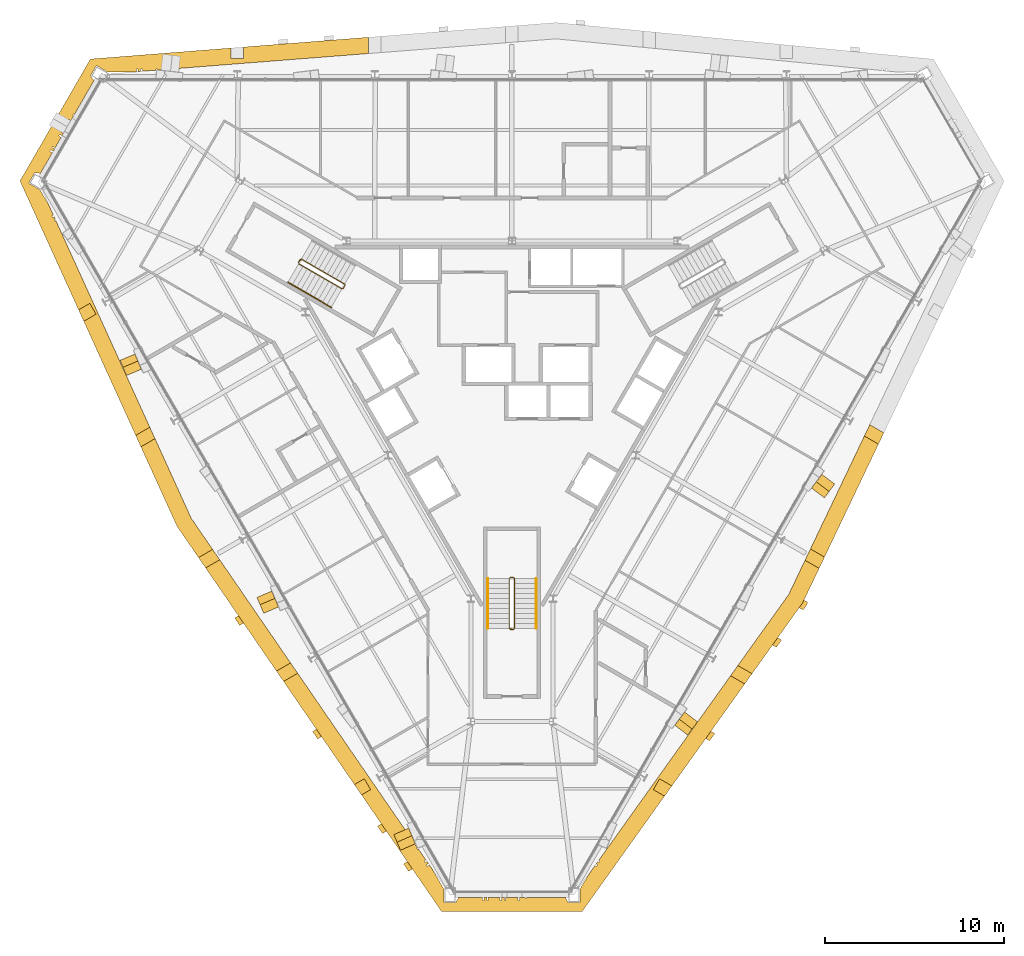
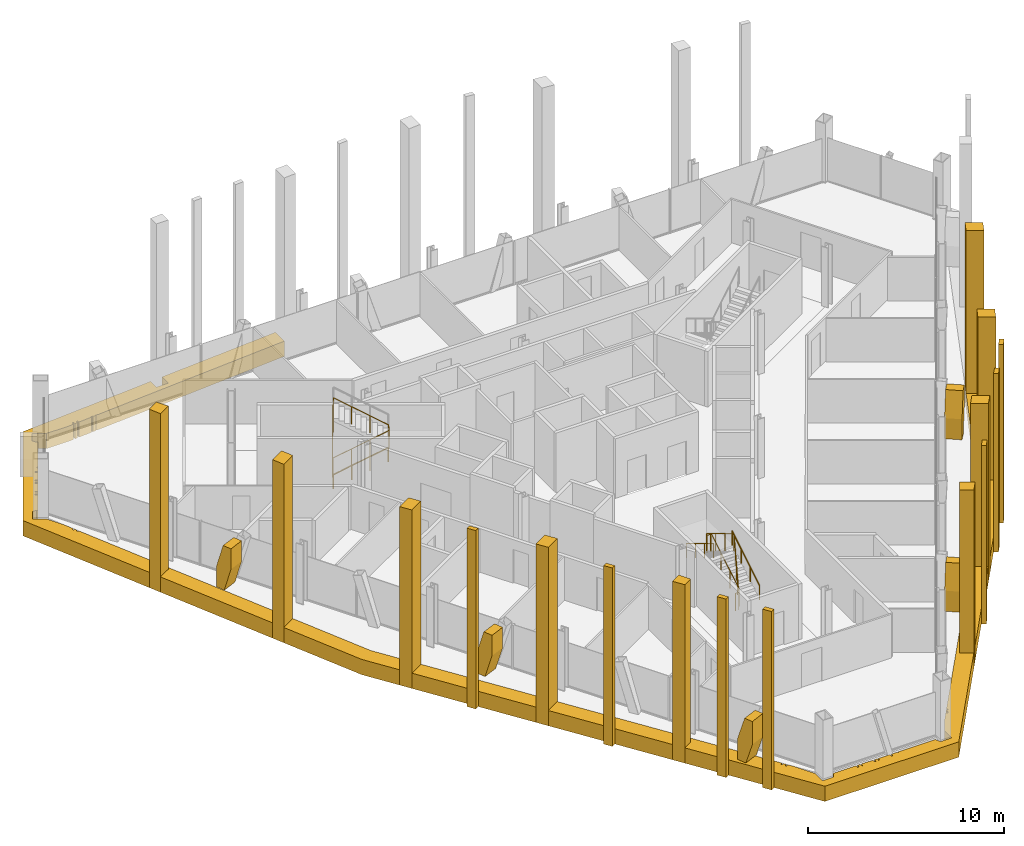
# One storey, part 12 of 13: 27 coverings, 5 railings.
"""IFC4 building model written with IfcOpenShell, lengths in metres."""

from ifc_helpers import new_model, si_unit, direction, frame, origin, origin_2d, place, context, subcontext, project, spatial, polyline, circle, outline, extrude, material, layer, layer_set, type_object, element, save


model = new_model("IFC4")

# Units and contexts
model_context = context("Model", 3, precision=1e-05, world=origin(), true_north=direction((0.0, 1.0)))
body_context = subcontext(model_context, "Body", "Model", "MODEL_VIEW")
ifc_project = project(units=[si_unit("LENGTHUNIT", "METRE"), si_unit("AREAUNIT", "SQUARE_METRE"), si_unit("VOLUMEUNIT", "CUBIC_METRE"), si_unit("PLANEANGLEUNIT", "RADIAN"), si_unit("MASSUNIT", "GRAM", prefix="KILO")], contexts=[model_context])

# Site, building, storey
site_placement = place(None, origin())
site = spatial("IfcSite", under=ifc_project, at=site_placement, CompositionType="ELEMENT")
building_placement = place(site_placement, origin())
building = spatial("IfcBuilding", under=site, at=building_placement, Name="Verrane Prism Tower", CompositionType="ELEMENT")
storey_placement = place(building_placement, frame((0.0, 0.0, 159.89990234375)))
storey = spatial("IfcBuildingStorey", under=building, at=storey_placement, Name="L39", CompositionType="ELEMENT", Elevation=159.89990234375)

# Railings
ifc_material_1 = material(Name="Steel A36 rail and posts, no infill", Category="steel")
railing_type_1 = type_object("IfcRailingType", Name="Stair guard 1100 steel rail and posts", PredefinedType="GUARDRAIL", material=ifc_material_1)
railing_1_placement = place(storey_placement, frame((-11.939453125, 6.72021484375, 0.168212890625)))
element("IfcRailing", 1, at=railing_1_placement, inside=storey, type_object=railing_type_1, Name="Stair 2 guard", PredefinedType="GUARDRAIL", context=body_context, shape_type="SweptSolid", body=[
    extrude(circle(Radius=0.02392578125, at=origin_2d()), frame((0.0, 0.0, 1.076171875), z_axis=(0.742366697286, -0.42866220388, 0.514917859203), x_axis=(0.500049511043, 0.865996816683, 0.0)), (0.0, 0.0, 1.0), 3.266357421875),
    extrude(circle(Radius=0.02392578125, at=origin_2d()), frame((2.4248046875, -1.400146484375, 2.7578125), z_axis=(0.965948051503, 0.258736085224, 0.0), x_axis=(-0.258736085224, 0.965948051503, 0.0)), (0.0, 0.0, 1.0), 0.07080078125),
    extrude(circle(Radius=0.02392578125, at=origin_2d()), frame((2.4931640625, -1.3818359375, 2.7578125), z_axis=(0.499158860599, 0.866510491504, 0.0), x_axis=(-0.866510491504, 0.499158860599, 0.0)), (0.0, 0.0, 1.0), 0.199951171875),
    extrude(circle(Radius=0.02392578125, at=origin_2d()), frame((2.593017578125, -1.20849609375, 2.7578125), z_axis=(-0.100385596638, 0.373434419493, 0.922209014446), x_axis=(-0.965715946433, -0.259601060869, 0.0)), (0.0, 0.0, 1.0), 0.182373046875),
    extrude(circle(Radius=0.02392578125, at=origin_2d()), frame((2.57470703125, -1.140380859375, 2.92626953125), z_axis=(-0.742366697286, 0.42866220388, 0.514917859203), x_axis=(-0.500049511043, -0.865996816683, 0.0)), (0.0, 0.0, 1.0), 3.266357421875),
    extrude(circle(Radius=0.02392578125, at=origin_2d()), frame((0.14990234375, 0.259765625, 4.60791015625), z_axis=(-0.045352972709, -0.05167210969, -0.997633750906), x_axis=(0.751567565678, -0.659656118156, 0.0)), (0.0, 0.0, 1.0), 3.708984375),
    extrude(circle(Radius=0.02392578125, at=origin_2d()), frame((-0.018310546875, 0.068115234375, 0.90771484375), z_axis=(0.499158860599, 0.866510491504, 0.0), x_axis=(-0.866510491504, 0.499158860599, 0.0)), (0.0, 0.0, 1.0), 0.199951171875),
    extrude(circle(Radius=0.02099609375, at=origin_2d()), origin(), (0.0, 0.0, 1.0), 1.052001953125),
    extrude(circle(Radius=0.02099609375, at=origin_2d()), frame((0.808349609375, -0.466796875, 0.560546875)), (0.0, 0.0, 1.0), 1.052001953125),
    extrude(circle(Radius=0.02099609375, at=origin_2d()), frame((1.616455078125, -0.933349609375, 1.121337890625)), (0.0, 0.0, 1.0), 1.052001953125),
    extrude(circle(Radius=0.02099609375, at=origin_2d()), frame((2.4248046875, -1.400146484375, 1.681884765625)), (0.0, 0.0, 1.0), 1.052001953125),
    extrude(circle(Radius=0.02099609375, at=origin_2d()), frame((2.4931640625, -1.3818359375, 1.681884765625)), (0.0, 0.0, 1.0), 1.052001953125),
    extrude(circle(Radius=0.02099609375, at=origin_2d()), frame((2.593017578125, -1.20849609375, 1.681884765625)), (0.0, 0.0, 1.0), 1.052001953125),
    extrude(circle(Radius=0.02099609375, at=origin_2d()), frame((2.57470703125, -1.140380859375, 1.85009765625)), (0.0, 0.0, 1.0), 1.052001953125),
    extrude(circle(Radius=0.02099609375, at=origin_2d()), frame((1.766357421875, -0.673583984375, 2.41064453125)), (0.0, 0.0, 1.0), 1.052001953125),
    extrude(circle(Radius=0.02099609375, at=origin_2d()), frame((0.958251953125, -0.20703125, 2.971435546875)), (0.0, 0.0, 1.0), 1.052001953125),
    extrude(circle(Radius=0.02099609375, at=origin_2d()), frame((0.14990234375, 0.259765625, 3.531982421875)), (0.0, 0.0, 1.0), 1.052001953125),
    extrude(circle(Radius=0.02099609375, at=origin_2d()), frame((0.10791015625, 0.2119140625, 2.60693359375)), (0.0, 0.0, 1.0), 1.052001953125),
    extrude(circle(Radius=0.02099609375, at=origin_2d()), frame((0.06591796875, 0.1640625, 1.681884765625)), (0.0, 0.0, 1.0), 1.052001953125),
    extrude(circle(Radius=0.02099609375, at=origin_2d()), frame((0.023681640625, 0.115966796875, 0.7568359375)), (0.0, 0.0, 1.0), 1.052001953125),
    extrude(circle(Radius=0.02099609375, at=origin_2d()), frame((-0.018310546875, 0.068115234375, -0.168212890625)), (0.0, 0.0, 1.0), 1.052001953125),
    extrude(circle(Radius=0.02099609375, at=origin_2d()), frame((0.08154296875, 0.241455078125, -0.168212890625)), (0.0, 0.0, 1.0), 1.052001953125),
])
railing_2_placement = place(storey_placement, frame((0.14990234375, -13.699951171875, 0.168212890625)))
element("IfcRailing", 2, at=railing_2_placement, inside=storey, type_object=railing_type_1, Name="Stair 3 guard", PredefinedType="GUARDRAIL", context=body_context, shape_type="SweptSolid", body=[
    extrude(circle(Radius=0.02392578125, at=origin_2d()), frame((0.0, 0.0, 1.076171875), z_axis=(0.0, 0.857242210791, 0.514913383045), x_axis=(-1.0, 0.0, 0.0)), (0.0, 0.0, 1.0), 3.266357421875),
    extrude(circle(Radius=0.02392578125, at=origin_2d()), frame((0.0, 2.800048828125, 2.7578125), z_axis=(-0.707106781187, 0.707106781187, 0.0), x_axis=(-0.707106781187, -0.707106781187, 0.0)), (0.0, 0.0, 1.0), 0.0703125),
    extrude(circle(Radius=0.02392578125, at=origin_2d()), frame((-0.0498046875, 2.849853515625, 2.7578125), z_axis=(-1.0, 0.0, 0.0), x_axis=(0.0, -1.0, 0.0)), (0.0, 0.0, 1.0), 0.2001953125),
    extrude(circle(Radius=0.02392578125, at=origin_2d()), frame((-0.25, 2.849853515625, 2.7578125), z_axis=(-0.273106073848, -0.273106073848, 0.922402376869), x_axis=(0.707106781187, -0.707106781187, 0.0)), (0.0, 0.0, 1.0), 0.182373046875),
    extrude(circle(Radius=0.02392578125, at=origin_2d()), frame((-0.2998046875, 2.800048828125, 2.92626953125), z_axis=(0.0, -0.857242210791, 0.514913383045), x_axis=(1.0, 0.0, 0.0)), (0.0, 0.0, 1.0), 3.266357421875),
    extrude(circle(Radius=0.02392578125, at=origin_2d()), frame((-0.2998046875, 0.0, 4.60791015625), z_axis=(0.067404178178, -0.013494000514, -0.997634496554), x_axis=(0.196300278283, 0.98054382908, 0.0)), (0.0, 0.0, 1.0), 3.708984375),
    extrude(circle(Radius=0.02392578125, at=origin_2d()), frame((-0.0498046875, -0.050048828125, 0.90771484375), z_axis=(-1.0, 0.0, 0.0), x_axis=(0.0, -1.0, 0.0)), (0.0, 0.0, 1.0), 0.2001953125),
    extrude(circle(Radius=0.02099609375, at=origin_2d()), origin(), (0.0, 0.0, 1.0), 1.052001953125),
    extrude(circle(Radius=0.02099609375, at=origin_2d()), frame((0.0, 0.933349609375, 0.560546875)), (0.0, 0.0, 1.0), 1.052001953125),
    extrude(circle(Radius=0.02099609375, at=origin_2d()), frame((0.0, 1.86669921875, 1.121337890625)), (0.0, 0.0, 1.0), 1.052001953125),
    extrude(circle(Radius=0.02099609375, at=origin_2d()), frame((0.0, 2.800048828125, 1.681884765625)), (0.0, 0.0, 1.0), 1.052001953125),
    extrude(circle(Radius=0.02099609375, at=origin_2d()), frame((-0.0498046875, 2.849853515625, 1.681884765625)), (0.0, 0.0, 1.0), 1.052001953125),
    extrude(circle(Radius=0.02099609375, at=origin_2d()), frame((-0.25, 2.849853515625, 1.681884765625)), (0.0, 0.0, 1.0), 1.052001953125),
    extrude(circle(Radius=0.02099609375, at=origin_2d()), frame((-0.2998046875, 2.800048828125, 1.85009765625)), (0.0, 0.0, 1.0), 1.052001953125),
    extrude(circle(Radius=0.02099609375, at=origin_2d()), frame((-0.2998046875, 1.86669921875, 2.41064453125)), (0.0, 0.0, 1.0), 1.052001953125),
    extrude(circle(Radius=0.02099609375, at=origin_2d()), frame((-0.2998046875, 0.933349609375, 2.971435546875)), (0.0, 0.0, 1.0), 1.052001953125),
    extrude(circle(Radius=0.02099609375, at=origin_2d()), frame((-0.2998046875, 0.0, 3.531982421875)), (0.0, 0.0, 1.0), 1.052001953125),
    extrude(circle(Radius=0.02099609375, at=origin_2d()), frame((-0.2373046875, -0.012451171875, 2.60693359375)), (0.0, 0.0, 1.0), 1.052001953125),
    extrude(circle(Radius=0.02099609375, at=origin_2d()), frame((-0.1748046875, -0.02490234375, 1.681884765625)), (0.0, 0.0, 1.0), 1.052001953125),
    extrude(circle(Radius=0.02099609375, at=origin_2d()), frame((-0.1123046875, -0.03759765625, 0.7568359375)), (0.0, 0.0, 1.0), 1.052001953125),
    extrude(circle(Radius=0.02099609375, at=origin_2d()), frame((-0.0498046875, -0.050048828125, -0.168212890625)), (0.0, 0.0, 1.0), 1.052001953125),
    extrude(circle(Radius=0.02099609375, at=origin_2d()), frame((-0.25, -0.050048828125, -0.168212890625)), (0.0, 0.0, 1.0), 1.052001953125),
])
ifc_material_2 = material(Name="Steel A36 tube", Category="steel")
railing_type_2 = type_object("IfcRailingType", Name="Stair handrail 900 steel tube", PredefinedType="HANDRAIL", material=ifc_material_2)
railing_3_placement = place(storey_placement, frame((-12.53955078125, 5.680908203125, 0.168212890625)))
element("IfcRailing", 3, at=railing_3_placement, inside=storey, type_object=railing_type_2, Name="Stair 2 handrail", PredefinedType="HANDRAIL", context=body_context, shape_type="SweptSolid", body=[
    extrude(circle(Radius=0.02392578125, at=origin_2d()), frame((0.0, 0.0, 0.8759765625), z_axis=(0.742366697286, -0.42866220388, 0.514917859203), x_axis=(0.500049511043, 0.865996816683, 0.0)), (0.0, 0.0, 1.0), 3.266357421875),
    extrude(circle(Radius=0.02099609375, at=origin_2d()), origin(), (0.0, 0.0, 1.0), 0.851806640625),
    extrude(circle(Radius=0.02099609375, at=origin_2d()), frame((0.808349609375, -0.466796875, 0.560546875)), (0.0, 0.0, 1.0), 0.851806640625),
    extrude(circle(Radius=0.02099609375, at=origin_2d()), frame((1.616455078125, -0.933349609375, 1.121337890625)), (0.0, 0.0, 1.0), 0.851806640625),
    extrude(circle(Radius=0.02099609375, at=origin_2d()), frame((2.4248046875, -1.400146484375, 1.681884765625)), (0.0, 0.0, 1.0), 0.851806640625),
])
railing_4_placement = place(storey_placement, frame((1.35009765625, -13.699951171875, 0.168212890625)))
element("IfcRailing", 4, at=railing_4_placement, inside=storey, type_object=railing_type_2, Name="Stair 3 handrail", PredefinedType="HANDRAIL", context=body_context, shape_type="SweptSolid", body=[
    extrude(circle(Radius=0.02392578125, at=origin_2d()), frame((0.0, 0.0, 0.8759765625), z_axis=(0.0, 0.857242210791, 0.514913383045), x_axis=(-1.0, 0.0, 0.0)), (0.0, 0.0, 1.0), 3.266357421875),
    extrude(circle(Radius=0.02099609375, at=origin_2d()), origin(), (0.0, 0.0, 1.0), 0.851806640625),
    extrude(circle(Radius=0.02099609375, at=origin_2d()), frame((0.0, 0.933349609375, 0.560546875)), (0.0, 0.0, 1.0), 0.851806640625),
    extrude(circle(Radius=0.02099609375, at=origin_2d()), frame((0.0, 1.86669921875, 1.121337890625)), (0.0, 0.0, 1.0), 0.851806640625),
    extrude(circle(Radius=0.02099609375, at=origin_2d()), frame((0.0, 2.800048828125, 1.681884765625)), (0.0, 0.0, 1.0), 0.851806640625),
])
railing_5_placement = place(storey_placement, frame((-1.35009765625, -10.89990234375, 2.018310546875)))
element("IfcRailing", 5, at=railing_5_placement, inside=storey, type_object=railing_type_2, Name="Stair 3 handrail", PredefinedType="HANDRAIL", context=body_context, shape_type="SweptSolid", body=[
    extrude(circle(Radius=0.02392578125, at=origin_2d()), frame((0.0, 0.0, 0.8759765625), z_axis=(0.0, -0.857242210791, 0.514913383045), x_axis=(1.0, 0.0, 0.0)), (0.0, 0.0, 1.0), 3.266357421875),
    extrude(circle(Radius=0.02099609375, at=origin_2d()), origin(), (0.0, 0.0, 1.0), 0.851806640625),
    extrude(circle(Radius=0.02099609375, at=origin_2d()), frame((0.0, -0.933349609375, 0.560546875)), (0.0, 0.0, 1.0), 0.851806640625),
    extrude(circle(Radius=0.02099609375, at=origin_2d()), frame((0.0, -1.86669921875, 1.121337890625)), (0.0, 0.0, 1.0), 0.851806640625),
    extrude(circle(Radius=0.02099609375, at=origin_2d()), frame((0.0, -2.800048828125, 1.681884765625)), (0.0, 0.0, 1.0), 0.851806640625),
])

# Coverings
ifc_material_3 = material(Name="Warm limestone cladding", Category="masonry")
ifc_layer_1 = layer(ifc_material_3, 0.89990234375)
ifc_layer_set_1 = layer_set([ifc_layer_1], Name="Stone brace fin 900")
covering_type_1 = type_object("IfcCoveringType", Name="Stone brace fin 900", PredefinedType="CLADDING", material=ifc_layer_set_1)
covering_1_placement = place(storey_placement, frame((-21.519775390625, 1.491455078125, 0.0), z_axis=(0.0, 0.0, 1.0), x_axis=(0.388304810429, -0.921530994703, 0.0)))
element("IfcCovering", 6, at=covering_1_placement, inside=storey, type_object=covering_type_1, Name="Stone brace fin SW2 L39", PredefinedType="CLADDING", context=body_context, shape_type="SweptSolid", body=[
    extrude(outline(polyline([(0.9248046875, 2.75), (0.42431640625, 2.75), (0.0, 1.283447265625), (0.0, 0.0), (0.496826171875, 0.0), (0.9248046875, 1.4794921875), (0.9248046875, 2.75)])), frame((0.0, 0.449951171875, 0.0), z_axis=(0.0, -1.0, 0.0), x_axis=(1.0, 0.0, 0.0)), (0.0, 0.0, 1.0), 0.89990234375),
])
covering_2_placement = place(storey_placement, frame((-13.858642578125, -11.779296875, 0.0), z_axis=(0.0, 0.0, 1.0), x_axis=(0.391564289382, -0.920150752475, 0.0)))
element("IfcCovering", 7, at=covering_2_placement, inside=storey, type_object=covering_type_1, Name="Stone brace fin SW4 L39", PredefinedType="CLADDING", context=body_context, shape_type="SweptSolid", body=[
    extrude(outline(polyline([(0.9638671875, 2.75), (0.4423828125, 2.75), (0.0, 1.283447265625), (0.0, 0.0), (0.517578125, 0.0), (0.9638671875, 1.4794921875), (0.9638671875, 2.75)])), frame((0.0, 0.449951171875, 0.0), z_axis=(0.0, -1.0, 0.0), x_axis=(1.0, 0.0, 0.0)), (0.0, 0.0, 1.0), 0.89990234375),
])
covering_3_placement = place(storey_placement, frame((-6.197998046875, -25.052978515625, 0.0), z_axis=(0.0, 0.0, 1.0), x_axis=(0.396583615951, -0.917998603245, 0.0)))
element("IfcCovering", 8, at=covering_3_placement, inside=storey, type_object=covering_type_1, Name="Stone brace fin SW6 L39", PredefinedType="CLADDING", context=body_context, shape_type="SweptSolid", body=[
    extrude(outline(polyline([(0.95068359375, 2.75), (0.459228515625, 2.75), (0.0, 1.283447265625), (0.0, 0.0), (0.537353515625, 0.0), (0.95068359375, 1.31982421875), (0.95068359375, 2.75)])), frame((0.0, 0.449951171875, 0.0), z_axis=(0.0, -1.0, 0.0), x_axis=(1.0, 0.0, 0.0)), (0.0, 0.0, 1.0), 0.89990234375),
])
covering_4_placement = place(storey_placement, frame((9.470458984375, -19.384765625, 0.0), z_axis=(0.0, 0.0, 1.0), x_axis=(0.604132171447, 0.796884131742, 0.0)))
element("IfcCovering", 9, at=covering_4_placement, inside=storey, type_object=covering_type_1, Name="Stone brace fin SE2 L39", PredefinedType="CLADDING", context=body_context, shape_type="SweptSolid", body=[
    extrude(outline(polyline([(0.9248046875, 2.75), (0.42431640625, 2.75), (0.0, 1.283447265625), (0.0, 0.0), (0.49658203125, 0.0), (0.9248046875, 1.4794921875), (0.9248046875, 2.75)])), frame((0.0, 0.449951171875, 0.0), z_axis=(0.0, -1.0, 0.0), x_axis=(1.0, 0.0, 0.0)), (0.0, 0.0, 1.0), 0.89990234375),
])
covering_5_placement = place(storey_placement, frame((17.131591796875, -6.108154296875, 0.0), z_axis=(0.0, 0.0, 1.0), x_axis=(0.600283880266, 0.79978701108, 0.0)))
element("IfcCovering", 10, at=covering_5_placement, inside=storey, type_object=covering_type_1, Name="Stone brace fin SE4 L39", PredefinedType="CLADDING", context=body_context, shape_type="SweptSolid", body=[
    extrude(outline(polyline([(0.962890625, 2.75), (0.44189453125, 2.75), (0.0, 1.283447265625), (0.0, 0.0), (0.51708984375, 0.0), (0.962890625, 1.4794921875), (0.962890625, 2.75)])), frame((0.0, 0.449951171875, 0.0), z_axis=(0.0, -1.0, 0.0), x_axis=(1.0, 0.0, 0.0)), (0.0, 0.0, 1.0), 0.89990234375),
])
ifc_material_4 = material(Name="Warm limestone cladding", Category="masonry")
covering_type_2 = type_object("IfcCoveringType", Name="Stone mullion pier 500", PredefinedType="CLADDING", material=ifc_material_4)
covering_6_placement = place(storey_placement, frame((0.0, 0.0, -0.949951171875)))
element("IfcCovering", 11, at=covering_6_placement, inside=storey, type_object=covering_type_2, Name="Stone pier SM-SW3.1 L39-L41", PredefinedType="CLADDING", context=body_context, shape_type="SweptSolid", body=[
    extrude(outline(polyline([(-15.022705078125, -13.397705078125), (-15.306884765625, -12.984375), (-15.52392578125, -13.109619140625), (-15.239990234375, -13.523193359375), (-15.022705078125, -13.397705078125)])), origin(), (0.0, 0.0, 1.0), 11.10009765625),
])
covering_7_placement = place(storey_placement, frame((0.0, 0.0, -0.949951171875)))
element("IfcCovering", 12, at=covering_7_placement, inside=storey, type_object=covering_type_2, Name="Stone pier SM-SW4.1 L39-L41", PredefinedType="CLADDING", context=body_context, shape_type="SweptSolid", body=[
    extrude(outline(polyline([(-10.659912109375, -19.749755859375), (-10.94384765625, -19.33642578125), (-11.160888671875, -19.4619140625), (-10.876953125, -19.875244140625), (-10.659912109375, -19.749755859375)])), origin(), (0.0, 0.0, 1.0), 11.10009765625),
])
covering_8_placement = place(storey_placement, frame((0.0, 0.0, -0.949951171875)))
element("IfcCovering", 13, at=covering_8_placement, inside=storey, type_object=covering_type_2, Name="Stone pier SM-SW5.1 L39-L41", PredefinedType="CLADDING", context=body_context, shape_type="SweptSolid", body=[
    extrude(outline(polyline([(-7.024169921875, -25.043212890625), (-7.30810546875, -24.6298828125), (-7.525146484375, -24.755126953125), (-7.2412109375, -25.168701171875), (-7.024169921875, -25.043212890625)])), origin(), (0.0, 0.0, 1.0), 11.10009765625),
])
covering_9_placement = place(storey_placement, frame((0.0, 0.0, -0.949951171875)))
element("IfcCovering", 14, at=covering_9_placement, inside=storey, type_object=covering_type_2, Name="Stone pier SM-SW5.2 L39-L41", PredefinedType="CLADDING", context=body_context, shape_type="SweptSolid", body=[
    extrude(outline(polyline([(-5.569580078125, -27.16064453125), (-5.853515625, -26.747314453125), (-6.07080078125, -26.87255859375), (-5.786865234375, -27.285888671875), (-5.569580078125, -27.16064453125)])), origin(), (0.0, 0.0, 1.0), 11.10009765625),
])
covering_10_placement = place(storey_placement, frame((0.0, 0.0, -0.949951171875)))
element("IfcCovering", 15, at=covering_10_placement, inside=storey, type_object=covering_type_2, Name="Stone pier SM-SE1.1 L39-L41", PredefinedType="CLADDING", context=body_context, shape_type="SweptSolid", body=[
    extrude(outline(polyline([(11.135986328125, -19.447509765625), (10.843994140625, -19.856201171875), (11.0615234375, -19.981689453125), (11.353515625, -19.572998046875), (11.135986328125, -19.447509765625)])), origin(), (0.0, 0.0, 1.0), 11.10009765625),
])
covering_11_placement = place(storey_placement, frame((0.0, 0.0, -0.949951171875)))
element("IfcCovering", 16, at=covering_11_placement, inside=storey, type_object=covering_type_2, Name="Stone pier SM-SE2.1 L39-L41", PredefinedType="CLADDING", context=body_context, shape_type="SweptSolid", body=[
    extrude(outline(polyline([(14.87548828125, -14.2138671875), (14.58349609375, -14.62255859375), (14.801025390625, -14.748291015625), (15.09326171875, -14.339599609375), (14.87548828125, -14.2138671875)])), origin(), (0.0, 0.0, 1.0), 11.10009765625),
])
covering_12_placement = place(storey_placement, frame((0.0, 0.0, -0.949951171875)))
element("IfcCovering", 17, at=covering_12_placement, inside=storey, type_object=covering_type_2, Name="Stone pier SM-SE2.2 L39-L41", PredefinedType="CLADDING", context=body_context, shape_type="SweptSolid", body=[
    extrude(outline(polyline([(16.347900390625, -12.106689453125), (16.280517578125, -12.248046875), (16.07958984375, -12.529296875), (16.297119140625, -12.65478515625), (16.49658203125, -12.37548828125), (16.56494140625, -12.232177734375), (16.347900390625, -12.106689453125)])), origin(), (0.0, 0.0, 1.0), 11.10009765625),
])
ifc_material_5 = material(Name="Warm limestone cladding", Category="masonry")
covering_type_3 = type_object("IfcCoveringType", Name="Stone pier 700", PredefinedType="CLADDING", material=ifc_material_5)
covering_13_placement = place(storey_placement, frame((0.0, 0.0, -0.949951171875)))
element("IfcCovering", 18, at=covering_13_placement, inside=storey, type_object=covering_type_3, Name="Stone pier PC-SW1 L39-L41", PredefinedType="CLADDING", context=body_context, shape_type="SweptSolid", body=[
    extrude(outline(polyline([(-23.280517578125, 3.897216796875), (-23.455322265625, 4.2001953125), (-23.63037109375, 4.50341796875), (-24.257080078125, 4.1416015625), (-23.9658203125, 3.50146484375), (-23.280517578125, 3.897216796875)])), origin(), (0.0, 0.0, 1.0), 11.10009765625),
])
covering_14_placement = place(storey_placement, frame((0.0, 0.0, -0.949951171875)))
element("IfcCovering", 19, at=covering_14_placement, inside=storey, type_object=covering_type_3, Name="Stone pier PC-SW2 L39-L41", PredefinedType="CLADDING", context=body_context, shape_type="SweptSolid", body=[
    extrude(outline(polyline([(-20.770751953125, -3.525146484375), (-19.979248046875, -3.068115234375), (-20.270263671875, -2.427978515625), (-21.06201171875, -2.885009765625), (-20.770751953125, -3.525146484375)])), origin(), (0.0, 0.0, 1.0), 11.10009765625),
])
covering_15_placement = place(storey_placement, frame((0.0, 0.0, -0.949951171875)))
element("IfcCovering", 20, at=covering_15_placement, inside=storey, type_object=covering_type_3, Name="Stone pier PC-SW3 L39-L41", PredefinedType="CLADDING", context=body_context, shape_type="SweptSolid", body=[
    extrude(outline(polyline([(-17.147705078125, -10.30419921875), (-16.357177734375, -9.847900390625), (-16.7548828125, -9.269287109375), (-17.545166015625, -9.7255859375), (-17.147705078125, -10.30419921875)])), origin(), (0.0, 0.0, 1.0), 11.10009765625),
])
covering_16_placement = place(storey_placement, frame((0.0, 0.0, -0.949951171875)))
element("IfcCovering", 21, at=covering_16_placement, inside=storey, type_object=covering_type_3, Name="Stone pier PC-SW4 L39-L41", PredefinedType="CLADDING", context=body_context, shape_type="SweptSolid", body=[
    extrude(outline(polyline([(-12.78466796875, -16.656494140625), (-11.994384765625, -16.2001953125), (-12.391845703125, -15.621337890625), (-13.18212890625, -16.07763671875), (-12.78466796875, -16.656494140625)])), origin(), (0.0, 0.0, 1.0), 11.10009765625),
])
covering_17_placement = place(storey_placement, frame((0.0, 0.0, -0.949951171875)))
element("IfcCovering", 22, at=covering_17_placement, inside=storey, type_object=covering_type_3, Name="Stone pier PC-SW5 L39-L41", PredefinedType="CLADDING", context=body_context, shape_type="SweptSolid", body=[
    extrude(outline(polyline([(-7.911865234375, -22.71435546875), (-8.0869140625, -22.4111328125), (-8.261962890625, -22.108154296875), (-8.819091796875, -22.4296875), (-8.42138671875, -23.008544921875), (-7.911865234375, -22.71435546875)])), origin(), (0.0, 0.0, 1.0), 11.10009765625),
])
covering_18_placement = place(storey_placement, frame((0.0, 0.0, -0.949951171875)))
element("IfcCovering", 23, at=covering_18_placement, inside=storey, type_object=covering_type_3, Name="Stone pier PC-SE1 L39-L41", PredefinedType="CLADDING", context=body_context, shape_type="SweptSolid", body=[
    extrude(outline(polyline([(8.261962890625, -22.108154296875), (8.068359375, -22.443603515625), (7.911865234375, -22.71435546875), (8.541748046875, -23.077880859375), (8.95068359375, -22.505859375), (8.261962890625, -22.108154296875)])), origin(), (0.0, 0.0, 1.0), 11.10009765625),
])
covering_19_placement = place(storey_placement, frame((0.0, 0.0, -0.949951171875)))
element("IfcCovering", 24, at=covering_19_placement, inside=storey, type_object=covering_type_3, Name="Stone pier PC-SE2 L39-L41", PredefinedType="CLADDING", context=body_context, shape_type="SweptSolid", body=[
    extrude(outline(polyline([(13.438232421875, -16.2255859375), (12.646484375, -15.7685546875), (12.23779296875, -16.3408203125), (13.029296875, -16.797607421875), (13.438232421875, -16.2255859375)])), origin(), (0.0, 0.0, 1.0), 11.10009765625),
])
covering_20_placement = place(storey_placement, frame((0.0, 0.0, -0.949951171875)))
element("IfcCovering", 25, at=covering_20_placement, inside=storey, type_object=covering_type_3, Name="Stone pier PC-SE3 L39-L41", PredefinedType="CLADDING", context=body_context, shape_type="SweptSolid", body=[
    extrude(outline(polyline([(17.49755859375, -9.697998046875), (16.707275390625, -9.24169921875), (16.40478515625, -9.87548828125), (17.195068359375, -10.331787109375), (17.49755859375, -9.697998046875)])), origin(), (0.0, 0.0, 1.0), 11.10009765625),
])
covering_21_placement = place(storey_placement, frame((0.0, 0.0, -0.949951171875)))
element("IfcCovering", 26, at=covering_21_placement, inside=storey, type_object=covering_type_3, Name="Stone pier PC-SE4 L39-L41", PredefinedType="CLADDING", context=body_context, shape_type="SweptSolid", body=[
    extrude(outline(polyline([(20.817138671875, -2.74365234375), (20.02685546875, -2.287353515625), (19.724365234375, -2.9208984375), (20.5146484375, -3.377197265625), (20.817138671875, -2.74365234375)])), origin(), (0.0, 0.0, 1.0), 11.10009765625),
])
ifc_material_6 = material(Name="Warm limestone cladding", Category="masonry")
ifc_layer_2 = layer(ifc_material_6, 0.449951171875)
ifc_layer_set_2 = layer_set([ifc_layer_2], Name="Stone spandrel band 450")
covering_type_4 = type_object("IfcCoveringType", Name="Stone spandrel band 450", PredefinedType="CLADDING", material=ifc_layer_set_2)
covering_22_placement = place(storey_placement, frame((0.0, 0.0, -0.949951171875)))
element("IfcCovering", 27, at=covering_22_placement, inside=storey, type_object=covering_type_4, Name="Stone spandrel band L39 part 1", PredefinedType="CLADDING", context=body_context, shape_type="SweptSolid", body=[
    extrude(outline(polyline([(3.93505859375, -29.52490234375), (8.541748046875, -23.077880859375), (7.911865234375, -22.71435546875), (8.261962890625, -22.108154296875), (8.95068359375, -22.505859375), (13.029296875, -16.797607421875), (12.23779296875, -16.3408203125), (4.852783203125, -26.67578125), (4.9130859375, -26.710693359375), (4.8642578125, -26.79541015625), (4.795654296875, -26.755615234375), (4.708251953125, -26.877685546875), (4.78955078125, -26.9248046875), (4.74267578125, -27.006103515625), (4.653564453125, -26.95458984375), (4.268798828125, -27.492919921875), (3.800048828125, -28.304931640625), (3.800048828125, -29.0400390625), (3.139892578125, -29.0400390625), (3.139892578125, -29.01806640625), (3.029296875, -28.828857421875), (3.029296875, -28.748291015625), (0.799560546875, -28.748291015625), (0.822998046875, -28.771240234375), (0.775390625, -28.81982421875), (0.702392578125, -28.748291015625), (0.41650390625, -28.748291015625), (0.41650390625, -28.909912109375), (0.32470703125, -28.909912109375), (0.32470703125, -28.748291015625), (-0.358642578125, -28.748291015625), (-0.358642578125, -28.909912109375), (-0.41650390625, -28.909912109375), (-0.41650390625, -28.748291015625), (-0.574951171875, -28.748291015625), (-0.574951171875, -28.909912109375), (-0.666748046875, -28.909912109375), (-0.666748046875, -28.748291015625), (-1.35009765625, -28.748291015625), (-1.35009765625, -28.909912109375), (-1.407958984375, -28.909912109375), (-1.407958984375, -28.748291015625), (-1.56640625, -28.748291015625), (-1.56640625, -28.909912109375), (-1.658203125, -28.909912109375), (-1.658203125, -28.748291015625), (-3.029296875, -28.748291015625), (-3.029296875, -28.828857421875), (-3.139892578125, -29.01806640625), (-3.139892578125, -29.0400390625), (-3.800048828125, -29.0400390625), (-3.800048828125, -28.304931640625), (-4.432861328125, -27.208984375), (-4.62060546875, -26.935546875), (-4.74267578125, -27.006103515625), (-4.78955078125, -26.9248046875), (-4.673828125, -26.85791015625), (-4.7587890625, -26.734375), (-4.8642578125, -26.79541015625), (-4.9130859375, -26.710693359375), (-4.814208984375, -26.653564453125), (-5.24365234375, -26.028564453125), (-5.291259765625, -26.055908203125), (-5.338134765625, -25.974609375), (-5.296875, -25.950927734375), (-5.4013671875, -25.798583984375), (-5.430419921875, -25.811279296875), (-5.47119140625, -25.716552734375), (-5.4609375, -25.712158203125), (-11.994384765625, -16.2001953125), (-12.78466796875, -16.656494140625), (-8.819091796875, -22.4296875), (-8.261962890625, -22.108154296875), (-7.911865234375, -22.71435546875), (-8.42138671875, -23.008544921875), (-3.94580078125, -29.52490234375), (3.93505859375, -29.52490234375)])), origin(), (0.0, 0.0, 1.0), 0.949951171875),
])
covering_23_placement = place(storey_placement, frame((0.0, 0.0, -0.949951171875)))
element("IfcCovering", 28, at=covering_23_placement, inside=storey, type_object=covering_type_4, Name="Stone spandrel band L39 part 3", PredefinedType="CLADDING", context=body_context, shape_type="SweptSolid", body=[
    extrude(outline(polyline([(-21.06201171875, -2.885009765625), (-20.270263671875, -2.427978515625), (-25.52783203125, 9.134521484375), (-25.58642578125, 9.1005859375), (-25.63525390625, 9.185302734375), (-25.568603515625, 9.223876953125), (-25.630615234375, 9.360595703125), (-25.7099609375, 9.314697265625), (-25.7568359375, 9.39599609375), (-25.669677734375, 9.4462890625), (-25.94384765625, 10.049560546875), (-26.413818359375, 10.86328125), (-27.04736328125, 11.229248046875), (-26.71728515625, 11.80078125), (-26.698486328125, 11.789794921875), (-26.482177734375, 11.789794921875), (-26.412109375, 11.74951171875), (-25.72607421875, 12.937744140625), (-25.86669921875, 13.018798828125), (-25.821044921875, 13.09814453125), (-25.680419921875, 13.01708984375), (-25.60107421875, 13.154296875), (-25.741943359375, 13.235595703125), (-25.713134765625, 13.285400390625), (-25.572265625, 13.204345703125), (-25.230712890625, 13.795654296875), (-25.37255859375, 13.877197265625), (-25.32666015625, 13.956787109375), (-25.184814453125, 13.875), (-25.105712890625, 14.012451171875), (-25.24755859375, 14.093994140625), (-25.21875, 14.14404296875), (-25.076904296875, 14.0625), (-24.7353515625, 14.653564453125), (-24.878173828125, 14.73583984375), (-24.83251953125, 14.815185546875), (-24.689697265625, 14.733154296875), (-24.54833984375, 14.9775390625), (-24.5751953125, 15.081298828125), (-24.50927734375, 15.098388671875), (-24.499755859375, 15.061767578125), (-23.383056640625, 16.99609375), (-23.45751953125, 17.0390625), (-23.568359375, 17.228271484375), (-23.58740234375, 17.2392578125), (-23.25732421875, 17.810791015625), (-22.62109375, 17.443359375), (-21.34716796875, 17.443359375), (-21.0244140625, 17.46875), (-21.0244140625, 17.610107421875), (-20.930419921875, 17.610107421875), (-20.930419921875, 17.47607421875), (-20.781005859375, 17.48779296875), (-20.781005859375, 17.610107421875), (-20.683349609375, 17.610107421875), (-20.683349609375, 17.495361328125), (-19.92724609375, 17.5546875), (-19.92724609375, 17.610107421875), (-19.833251953125, 17.610107421875), (-19.833251953125, 17.56201171875), (-19.6494140625, 17.576416015625), (-19.6455078125, 17.60791015625), (-19.543212890625, 17.59619140625), (-19.54443359375, 17.584716796875), (-8.03271484375, 18.4873046875), (-8.03271484375, 19.39990234375), (-15.01513671875, 18.852294921875), (-15.01513671875, 18.2119140625), (-15.715087890625, 18.2119140625), (-15.715087890625, 18.797607421875), (-23.59619140625, 18.1796875), (-27.536865234375, 11.3544921875), (-24.257080078125, 4.1416015625), (-23.63037109375, 4.50341796875), (-23.280517578125, 3.897216796875), (-23.9658203125, 3.50146484375), (-21.06201171875, -2.885009765625)])), origin(), (0.0, 0.0, 1.0), 0.949951171875),
])
covering_24_placement = place(storey_placement, frame((0.0, 0.0, -0.949951171875)))
element("IfcCovering", 29, at=covering_24_placement, inside=storey, type_object=covering_type_4, Name="Stone spandrel band L39 part 4", PredefinedType="CLADDING", context=body_context, shape_type="SweptSolid", body=[
    extrude(outline(polyline([(-17.545166015625, -9.7255859375), (-16.7548828125, -9.269287109375), (-17.9521484375, -7.52587890625), (-19.979248046875, -3.068115234375), (-20.770751953125, -3.525146484375), (-18.747314453125, -7.97509765625), (-17.545166015625, -9.7255859375)])), origin(), (0.0, 0.0, 1.0), 0.949951171875),
])
covering_25_placement = place(storey_placement, frame((0.0, 0.0, -0.949951171875)))
element("IfcCovering", 30, at=covering_25_placement, inside=storey, type_object=covering_type_4, Name="Stone spandrel band L39 part 5", PredefinedType="CLADDING", context=body_context, shape_type="SweptSolid", body=[
    extrude(outline(polyline([(-12.391845703125, -15.621337890625), (-16.357177734375, -9.847900390625), (-17.147705078125, -10.30419921875), (-13.18212890625, -16.07763671875), (-12.391845703125, -15.621337890625)])), origin(), (0.0, 0.0, 1.0), 0.949951171875),
])
covering_26_placement = place(storey_placement, frame((0.0, 0.0, -0.949951171875)))
element("IfcCovering", 31, at=covering_26_placement, inside=storey, type_object=covering_type_4, Name="Stone spandrel band L39 part 6", PredefinedType="CLADDING", context=body_context, shape_type="SweptSolid", body=[
    extrude(outline(polyline([(16.40478515625, -9.87548828125), (15.49365234375, -11.7841796875), (12.646484375, -15.7685546875), (13.438232421875, -16.2255859375), (16.280517578125, -12.248046875), (17.195068359375, -10.331787109375), (16.40478515625, -9.87548828125)])), origin(), (0.0, 0.0, 1.0), 0.949951171875),
])
covering_27_placement = place(storey_placement, frame((0.0, 0.0, -0.949951171875)))
element("IfcCovering", 32, at=covering_27_placement, inside=storey, type_object=covering_type_4, Name="Stone spandrel band L39 part 7", PredefinedType="CLADDING", context=body_context, shape_type="SweptSolid", body=[
    extrude(outline(polyline([(20.5146484375, -3.377197265625), (19.724365234375, -2.9208984375), (16.707275390625, -9.24169921875), (17.49755859375, -9.697998046875), (20.5146484375, -3.377197265625)])), origin(), (0.0, 0.0, 1.0), 0.949951171875),
])

save(model, "model.ifc")
